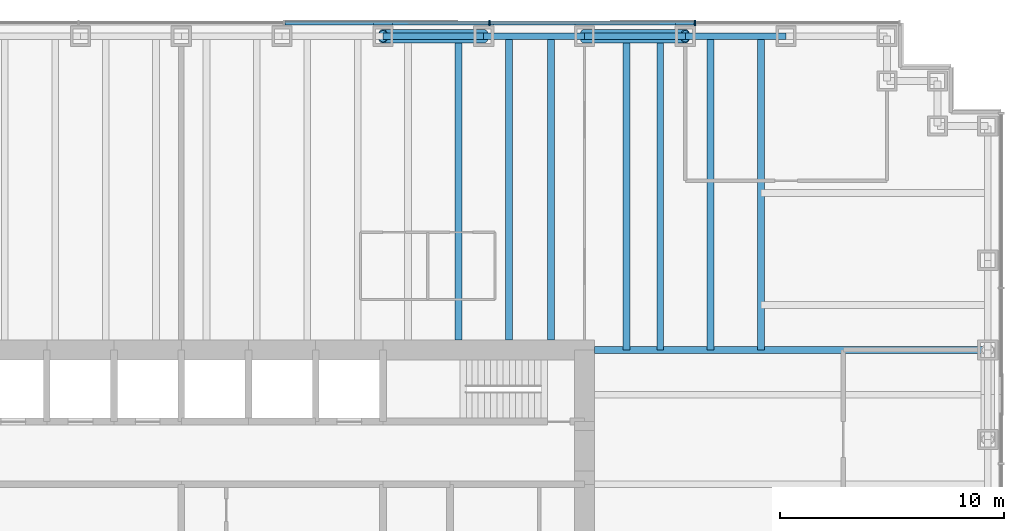
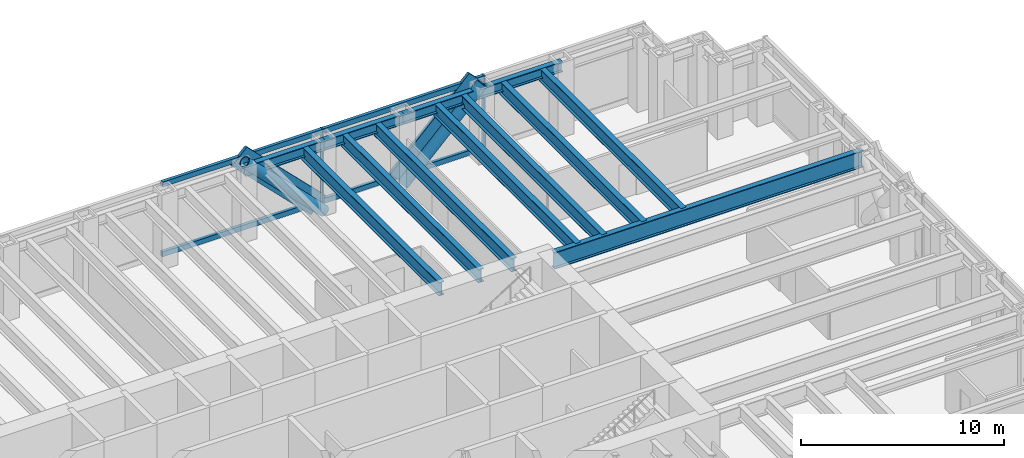
# One storey, part 6 of 13: 12 beams, 10 members, 1 element without a shape of its own.
"""IFC4 building model written with IfcOpenShell, lengths in metres."""

from ifc_helpers import new_model, si_unit, direction, frame, origin, origin_2d, place, context, subcontext, project, spatial, rectangle, hollow_circle, i_section, extrude, material, material_profile, profile_set, type_object, element, aggregate, save


model = new_model("IFC4")

# Units and contexts
model_context = context("Model", 3, precision=1e-05, world=origin(), true_north=direction((0.0, 1.0)))
body_context = subcontext(model_context, "Body", "Model", "MODEL_VIEW")
ifc_project = project(units=[si_unit("LENGTHUNIT", "METRE"), si_unit("AREAUNIT", "SQUARE_METRE"), si_unit("VOLUMEUNIT", "CUBIC_METRE"), si_unit("PLANEANGLEUNIT", "RADIAN"), si_unit("MASSUNIT", "GRAM", prefix="KILO")], contexts=[model_context])

# Site, building, storey
site_placement = place(None, origin())
site = spatial("IfcSite", under=ifc_project, at=site_placement, CompositionType="ELEMENT")
building_placement = place(site_placement, origin())
building = spatial("IfcBuilding", under=site, at=building_placement, Name="Rheinbord Bourse Tower", CompositionType="ELEMENT")
storey_placement = place(building_placement, frame((0.0, 0.0, 50.0)))
storey = spatial("IfcBuildingStorey", under=building, at=storey_placement, Name="L10", CompositionType="ELEMENT", Elevation=50.0)

# Curtain wall, members
ifc_material_1 = material(Name="Dark glass and black aluminium", Category="aluminium")
curtain_wall_type = type_object("IfcCurtainWallType", Name="CW1 DARK GLASS CURTAIN WALL", PredefinedType="USERDEFINED", material=ifc_material_1)
curtain_wall_placement = place(storey_placement, origin())
curtain_wall = element("IfcCurtainWall", 1, at=curtain_wall_placement, inside=storey, type_object=curtain_wall_type, Name="Curtain wall CW1 N L10", ObjectType="UNITISED CURTAIN WALL", PredefinedType="USERDEFINED")
ifc_material_2 = material(Name="Black anodised aluminium", Category="aluminium")
ifc_material_profile_1 = material_profile(ifc_material_2, rectangle(XDim=0.179931640625, YDim=1.2099609375, at=origin_2d()), Name="CW1 DIAGONAL MULLION 1210x180")
ifc_profile_set_1 = profile_set([ifc_material_profile_1], Name="Black anodised aluminium")
member_type_1 = type_object("IfcMemberType", Name="CW1 BLACK DIAGONAL MULLION", PredefinedType="USERDEFINED", material=ifc_profile_set_1)
member_1_placement = place(storey_placement, frame((54.0, 46.60009765625, 0.0), z_axis=(0.707106781187, 0.0, 0.707106781187), x_axis=(0.0, 1.0, 0.0)))
member_1 = element("IfcMember", 2, at=member_1_placement, type_object=member_type_1, Name="CW1 diagonal mullion a", ObjectType="DIAGONAL MULLION", PredefinedType="USERDEFINED", context=body_context, shape_type="SweptSolid", body=[
    extrude(rectangle(XDim=0.179931640625, YDim=1.2099609375, at=origin_2d()), origin(), (0.0, 0.0, 1.0), 6.364013671875),
])
member_2_placement = place(storey_placement, frame((49.5, 46.60009765625, 0.0), z_axis=(-0.707106781187, 0.0, 0.707106781187), x_axis=(0.0, -1.0, 0.0)))
member_2 = element("IfcMember", 3, at=member_2_placement, type_object=member_type_1, Name="CW1 diagonal mullion c", ObjectType="DIAGONAL MULLION", PredefinedType="USERDEFINED", context=body_context, shape_type="SweptSolid", body=[
    extrude(rectangle(XDim=0.179931640625, YDim=1.2099609375, at=origin_2d()), origin(), (0.0, 0.0, 1.0), 6.364013671875),
])
ifc_material_3 = material(Name="Black anodised aluminium", Category="aluminium")
ifc_material_profile_2 = material_profile(ifc_material_3, rectangle(XDim=0.25, YDim=0.080078125, at=origin_2d()), Name="CW1 MULLION 80x250")
ifc_profile_set_2 = profile_set([ifc_material_profile_2], Name="Black anodised aluminium")
member_type_2 = type_object("IfcMemberType", Name="CW1 BLACK MULLION", PredefinedType="MULLION", material=ifc_profile_set_2)
member_3_placement = place(storey_placement, frame((58.928466796875, 46.60009765625, 0.0), z_axis=(0.0, 0.0, 1.0), x_axis=(0.0, -1.0, 0.0)))
member_3 = element("IfcMember", 4, at=member_3_placement, type_object=member_type_2, Name="CW1 mullion 2", PredefinedType="MULLION", context=body_context, shape_type="SweptSolid", body=[
    extrude(rectangle(XDim=0.25, YDim=0.080078125, at=origin_2d()), origin(), (0.0, 0.0, 1.0), 4.5),
])
member_4_placement = place(storey_placement, frame((49.757080078125, 46.60009765625, 0.0), z_axis=(0.0, 0.0, 1.0), x_axis=(0.0, -1.0, 0.0)))
member_4 = element("IfcMember", 5, at=member_4_placement, type_object=member_type_2, Name="CW1 mullion 3", PredefinedType="MULLION", context=body_context, shape_type="SweptSolid", body=[
    extrude(rectangle(XDim=0.25, YDim=0.080078125, at=origin_2d()), origin(), (0.0, 0.0, 1.0), 4.5),
])
ifc_material_4 = material(Name="Black anodised aluminium", Category="aluminium")
ifc_material_profile_3 = material_profile(ifc_material_4, rectangle(XDim=0.179931640625, YDim=0.300048828125, at=origin_2d()), Name="CW1 TRANSOM 300x180")
ifc_profile_set_3 = profile_set([ifc_material_profile_3], Name="Black anodised aluminium")
member_type_3 = type_object("IfcMemberType", Name="CW1 BLACK TRANSOM", PredefinedType="USERDEFINED", material=ifc_profile_set_3)
member_5_placement = place(storey_placement, frame((58.888671875, 46.60009765625, 0.14990234375), z_axis=(-1.0, 0.0, 0.0), x_axis=(0.0, -1.0, 0.0)))
member_5 = element("IfcMember", 6, at=member_5_placement, type_object=member_type_3, Name="CW1 transom 2.1", ObjectType="TRANSOM", PredefinedType="USERDEFINED", context=body_context, shape_type="SweptSolid", body=[
    extrude(rectangle(XDim=0.179931640625, YDim=0.300048828125, at=origin_2d()), origin(), (0.0, 0.0, 1.0), 9.091552734375),
])
member_6_placement = place(storey_placement, frame((58.888671875, 46.60009765625, 4.35009765625), z_axis=(-1.0, 0.0, 0.0), x_axis=(0.0, -1.0, 0.0)))
member_6 = element("IfcMember", 7, at=member_6_placement, type_object=member_type_3, Name="CW1 transom 2.2", ObjectType="TRANSOM", PredefinedType="USERDEFINED", context=body_context, shape_type="SweptSolid", body=[
    extrude(rectangle(XDim=0.179931640625, YDim=0.300048828125, at=origin_2d()), origin(), (0.0, 0.0, 1.0), 9.091552734375),
])
member_7_placement = place(storey_placement, frame((49.717041015625, 46.60009765625, 0.14990234375), z_axis=(-1.0, 0.0, 0.0), x_axis=(0.0, -1.0, 0.0)))
member_7 = element("IfcMember", 8, at=member_7_placement, type_object=member_type_3, Name="CW1 transom 3.1", ObjectType="TRANSOM", PredefinedType="USERDEFINED", context=body_context, shape_type="SweptSolid", body=[
    extrude(rectangle(XDim=0.179931640625, YDim=0.300048828125, at=origin_2d()), origin(), (0.0, 0.0, 1.0), 9.09130859375),
])
member_8_placement = place(storey_placement, frame((49.717041015625, 46.60009765625, 4.35009765625), z_axis=(-1.0, 0.0, 0.0), x_axis=(0.0, -1.0, 0.0)))
member_8 = element("IfcMember", 9, at=member_8_placement, type_object=member_type_3, Name="CW1 transom 3.2", ObjectType="TRANSOM", PredefinedType="USERDEFINED", context=body_context, shape_type="SweptSolid", body=[
    extrude(rectangle(XDim=0.179931640625, YDim=0.300048828125, at=origin_2d()), origin(), (0.0, 0.0, 1.0), 9.09130859375),
])
aggregate(curtain_wall, [member_3, member_4, member_5, member_6, member_7, member_8, member_1, member_2])

# Beams
ifc_material_5 = material(Name="Steel S460", Category="steel")
ifc_material_profile_4 = material_profile(ifc_material_5, i_section(OverallWidth=0.300048828125, OverallDepth=0.800048828125, WebThickness=0.017578125, FlangeThickness=0.032958984375, at=origin_2d()), Name="HEB 800")
ifc_profile_set_4 = profile_set([ifc_material_profile_4], Name="Steel S460")
beam_type_1 = type_object("IfcBeamType", Name="FLOOR BEAM HEB 800", PredefinedType="BEAM", material=ifc_profile_set_4)
for number, where, z_axis, x_axis, name in (
    (10, (48.375, 46.0, 3.919921875), (0.0, -1.0, 0.0), (1.0, 0.0, 0.0), "Floor beam N-45b L11"),
    (11, (50.625, 46.0, 3.919921875), (0.0, -1.0, 0.0), (1.0, 0.0, 0.0), "Floor beam N-49.5a L11"),
    (12, (52.5, 46.0, 3.919921875), (0.0, -1.0, 0.0), (1.0, 0.0, 0.0), "Floor beam N-49.5b L11"),
):
    element("IfcBeam", number, at=place(storey_placement, frame(where, z_axis=z_axis, x_axis=x_axis)), inside=storey, type_object=beam_type_1, Name=name, PredefinedType="BEAM", context=body_context, shape_type="SweptSolid", body=[
        extrude(i_section(OverallWidth=0.300048828125, OverallDepth=0.800048828125, WebThickness=0.017578125, FlangeThickness=0.032958984375, at=origin_2d()), origin(), (0.0, 0.0, 1.0), 13.550048828125),
    ])
for number, where, z_axis, x_axis, name in (
    (13, (55.875, 46.0, 3.919921875), (0.0, -1.0, 0.0), (1.0, 0.0, 0.0), "Floor beam N-54a L11"),
    (14, (57.375, 46.0, 3.919921875), (0.0, -1.0, 0.0), (1.0, 0.0, 0.0), "Floor beam N-54b L11"),
    (15, (59.625, 46.0, 3.919921875), (0.0, -1.0, 0.0), (1.0, 0.0, 0.0), "Floor beam N-58.5a L11"),
    (16, (61.875, 46.0, 3.919921875), (0.0, -1.0, 0.0), (1.0, 0.0, 0.0), "Floor beam N-58.5b L11"),
):
    element("IfcBeam", number, at=place(storey_placement, frame(where, z_axis=z_axis, x_axis=x_axis)), inside=storey, type_object=beam_type_1, Name=name, PredefinedType="BEAM", context=body_context, shape_type="SweptSolid", body=[
        extrude(i_section(OverallWidth=0.300048828125, OverallDepth=0.800048828125, WebThickness=0.017578125, FlangeThickness=0.032958984375, at=origin_2d()), origin(), (0.0, 0.0, 1.0), 14.0),
    ])
ifc_material_6 = material(Name="Steel S460", Category="steel")
ifc_material_profile_5 = material_profile(ifc_material_6, i_section(OverallWidth=0.302001953125, OverallDepth=1.008056640625, WebThickness=0.02099609375, FlangeThickness=0.0400390625, at=origin_2d()), Name="HEM 1000")
ifc_profile_set_5 = profile_set([ifc_material_profile_5], Name="Steel S460")
beam_type_2 = type_object("IfcBeamType", Name="GIRDER HEM 1000", PredefinedType="BEAM", material=ifc_profile_set_5)
beam_placement = place(storey_placement, frame((54.449951171875, 32.0, 3.81591796875), z_axis=(1.0, 0.0, 0.0), x_axis=(0.0, 1.0, 0.0)))
element("IfcBeam", 17, at=beam_placement, inside=storey, type_object=beam_type_2, Name="Girder east 32 L11", PredefinedType="BEAM", context=body_context, shape_type="SweptSolid", body=[
    extrude(i_section(OverallWidth=0.302001953125, OverallDepth=1.008056640625, WebThickness=0.02099609375, FlangeThickness=0.0400390625, at=origin_2d()), origin(), (0.0, 0.0, 1.0), 17.550048828125),
])

# Members
ifc_material_7 = material(Name="Steel S460", Category="steel")
ifc_material_profile_6 = material_profile(ifc_material_7, hollow_circle(Radius=0.304931640625, WallThickness=0.050048828125, at=origin_2d()), Name="CHS 610x50")
ifc_profile_set_6 = profile_set([ifc_material_profile_6], Name="Steel S460")
member_type_4 = type_object("IfcMemberType", Name="MEGABRACE CHS 610x50", PredefinedType="BRACE", material=ifc_profile_set_6)
for number, where, z_axis, x_axis, name in (
    (18, (54.0, 46.0, 0.0), (0.707106781187, 0.0, 0.707106781187), (0.0, 1.0, 0.0), "Megabrace N face line a L10"),
    (19, (49.5, 46.0, 0.0), (-0.707106781187, 0.0, 0.707106781187), (0.0, -1.0, 0.0), "Megabrace N face line c L10"),
):
    element("IfcMember", number, at=place(storey_placement, frame(where, z_axis=z_axis, x_axis=x_axis)), inside=storey, type_object=member_type_4, Name=name, PredefinedType="BRACE", context=body_context, shape_type="SweptSolid", body=[
        extrude(hollow_circle(Radius=0.304931640625, WallThickness=0.050048828125, at=origin_2d()), origin(), (0.0, 0.0, 1.0), 6.364013671875),
    ])

# Beams
ifc_material_8 = material(Name="Steel S460", Category="steel")
ifc_material_profile_7 = material_profile(ifc_material_8, i_section(OverallWidth=0.304931640625, OverallDepth=0.6201171875, WebThickness=0.02099609375, FlangeThickness=0.0400390625, at=origin_2d()), Name="HEM 600")
ifc_profile_set_7 = profile_set([ifc_material_profile_7], Name="Steel S460")
beam_type_3 = type_object("IfcBeamType", Name="SPANDREL HEM 600", PredefinedType="SPANDREL", material=ifc_profile_set_7)
for number, where, z_axis, x_axis, name in (
    (20, (63.0, 46.0, 4.010009765625), (-1.0, 0.0, 0.0), (0.0, -1.0, 0.0), "Spandrel N-63-N-58.5 under L11"),
    (21, (58.5, 46.0, 4.010009765625), (-1.0, 0.0, 0.0), (0.0, -1.0, 0.0), "Spandrel N-58.5-N-54 under L11"),
    (22, (54.0, 46.0, 4.010009765625), (-1.0, 0.0, 0.0), (0.0, -1.0, 0.0), "Spandrel N-54-N-49.5 under L11"),
    (23, (49.5, 46.0, 4.010009765625), (-1.0, 0.0, 0.0), (0.0, -1.0, 0.0), "Spandrel N-49.5-N-45 under L11"),
):
    element("IfcBeam", number, at=place(storey_placement, frame(where, z_axis=z_axis, x_axis=x_axis)), inside=storey, type_object=beam_type_3, Name=name, PredefinedType="SPANDREL", context=body_context, shape_type="SweptSolid", body=[
        extrude(i_section(OverallWidth=0.304931640625, OverallDepth=0.6201171875, WebThickness=0.02099609375, FlangeThickness=0.0400390625, at=origin_2d()), origin(), (0.0, 0.0, 1.0), 4.5),
    ])

save(model, "model.ifc")
